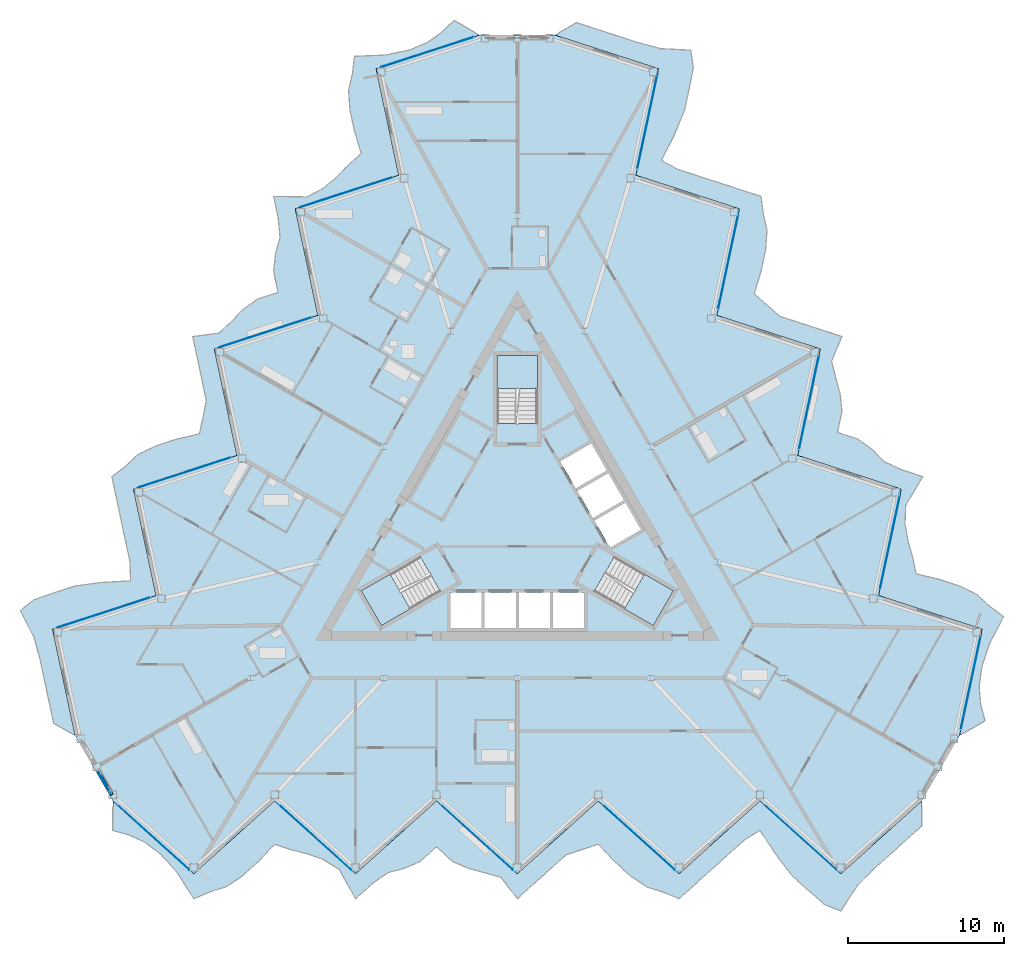
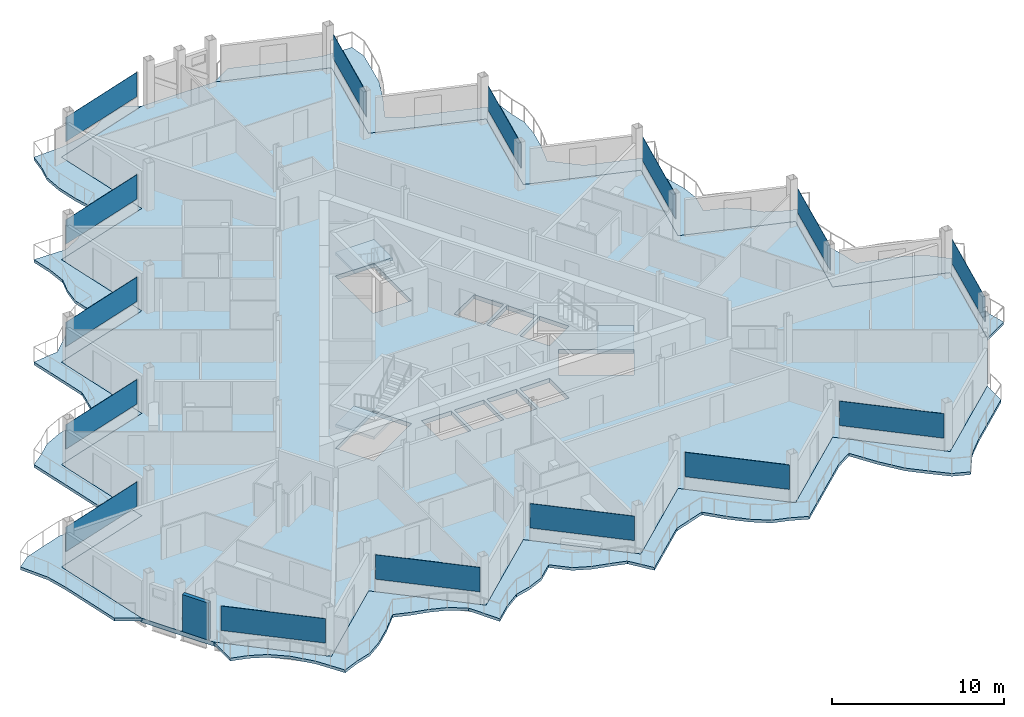
# One storey, part 11 of 26: 15 plates, 7 slabs, 1 wall, 18 elements without a shape of their own.
"""IFC4 building model written with IfcOpenShell, lengths in metres."""

from ifc_helpers import new_model, si_unit, direction, frame, frame_2d, origin, origin_2d, place, context, subcontext, project, spatial, polyline, rectangle, outline, extrude, material, layer, layer_set, type_object, element, aggregate, save


model = new_model("IFC4")

# Units and contexts
model_context = context("Model", 3, precision=1e-05, world=origin(), true_north=direction((0.0, 1.0)))
body_context = subcontext(model_context, "Body", "Model", "MODEL_VIEW")
ifc_project = project(units=[si_unit("LENGTHUNIT", "METRE"), si_unit("AREAUNIT", "SQUARE_METRE"), si_unit("VOLUMEUNIT", "CUBIC_METRE"), si_unit("PLANEANGLEUNIT", "RADIAN"), si_unit("MASSUNIT", "GRAM", prefix="KILO")], contexts=[model_context])

# Site, building, storey
site_placement = place(None, origin())
site = spatial("IfcSite", under=ifc_project, at=site_placement, CompositionType="ELEMENT")
building_placement = place(site_placement, origin())
building = spatial("IfcBuilding", under=site, at=building_placement, Name="Cormorant Prow Tower", CompositionType="ELEMENT")
storey_placement = place(building_placement, frame((0.0, 0.0, 388.199951171875)))
storey = spatial("IfcBuildingStorey", under=building, at=storey_placement, Name="L88", CompositionType="ELEMENT", Elevation=388.199951171875)

# Slabs
ifc_material_1 = material(Name="Concrete C40/50", Category="concrete")
ifc_layer_1 = layer(ifc_material_1, 0.199951171875)
ifc_layer_set_1 = layer_set([ifc_layer_1], Name="Concrete C40/50")
slab_type_1 = type_object("IfcSlabType", Name="Balcony slab 200", PredefinedType="FLOOR", material=ifc_layer_set_1)
slab_1_placement = place(storey_placement, frame((0.0, 0.0, -0.199951171875)))
element("IfcSlab", 1, at=slab_1_placement, inside=storey, type_object=slab_type_1, Name="Balcony slab S L88", PredefinedType="FLOOR", context=body_context, shape_type="SweptSolid", body=[
    extrude(outline(polyline([(-26.0, -17.8095703125), (-26.0, -19.709716796875), (-24.9599609375, -19.9931640625), (-23.919921875, -20.468994140625), (-22.8798828125, -21.272705078125), (-21.840087890625, -22.443359375), (-20.800048828125, -24.091796875), (-19.760009765625, -23.6494140625), (-18.719970703125, -23.329345703125), (-17.679931640625, -22.632568359375), (-16.639892578125, -21.696044921875), (-15.60009765625, -20.595458984375), (-14.56005859375, -20.940673828125), (-13.52001953125, -21.19921875), (-12.47998046875, -21.570556640625), (-11.43994140625, -22.221435546875), (-10.39990234375, -24.091796875), (-9.360107421875, -23.1552734375), (-8.320068359375, -22.416259765625), (-7.280029296875, -22.145751953125), (-6.239990234375, -21.696044921875), (-5.199951171875, -20.759765625), (-4.159912109375, -21.696044921875), (-3.1201171875, -22.1552734375), (-2.080078125, -22.427001953125), (-1.0400390625, -22.725830078125), (0.0, -24.091796875), (1.0400390625, -23.1552734375), (2.080078125, -22.218994140625), (3.1201171875, -21.282470703125), (4.159912109375, -20.930419921875), (5.199951171875, -20.587890625), (6.239990234375, -21.696044921875), (7.280029296875, -22.632568359375), (8.320068359375, -23.33740234375), (9.360107421875, -23.659912109375), (10.39990234375, -24.091796875), (11.43994140625, -23.1552734375), (12.47998046875, -22.218994140625), (13.52001953125, -21.282470703125), (14.56005859375, -20.34619140625), (15.60009765625, -19.698974609375), (16.639892578125, -21.289794921875), (17.679931640625, -22.632568359375), (18.719970703125, -23.56884765625), (19.760009765625, -24.473388671875), (20.800048828125, -24.881103515625), (21.840087890625, -23.27197265625), (22.8798828125, -22.218994140625), (23.919921875, -21.282470703125), (24.9599609375, -20.34619140625), (26.0, -19.40966796875), (26.0, -17.8095703125), (24.9599609375, -18.74609375), (23.919921875, -19.6826171875), (22.8798828125, -20.618896484375), (21.840087890625, -21.555419921875), (20.800048828125, -22.49169921875), (19.760009765625, -21.555419921875), (18.719970703125, -20.618896484375), (17.679931640625, -19.6826171875), (16.639892578125, -18.74609375), (15.60009765625, -17.8095703125), (14.56005859375, -18.74609375), (13.52001953125, -19.6826171875), (12.47998046875, -20.618896484375), (11.43994140625, -21.555419921875), (10.39990234375, -22.49169921875), (9.360107421875, -21.555419921875), (8.320068359375, -20.618896484375), (7.280029296875, -19.6826171875), (6.239990234375, -18.74609375), (5.199951171875, -17.8095703125), (4.159912109375, -18.74609375), (3.1201171875, -19.6826171875), (2.080078125, -20.618896484375), (1.0400390625, -21.555419921875), (0.0, -22.49169921875), (-1.0400390625, -21.555419921875), (-2.080078125, -20.618896484375), (-3.1201171875, -19.6826171875), (-4.159912109375, -18.74609375), (-5.199951171875, -17.8095703125), (-6.239990234375, -18.74609375), (-7.280029296875, -19.6826171875), (-8.320068359375, -20.618896484375), (-9.360107421875, -21.555419921875), (-10.39990234375, -22.49169921875), (-11.43994140625, -21.555419921875), (-12.47998046875, -20.618896484375), (-13.52001953125, -19.6826171875), (-14.56005859375, -18.74609375), (-15.60009765625, -17.8095703125), (-16.639892578125, -18.74609375), (-17.679931640625, -19.6826171875), (-18.719970703125, -20.618896484375), (-19.760009765625, -21.555419921875), (-20.800048828125, -22.49169921875), (-21.840087890625, -21.555419921875), (-22.8798828125, -20.618896484375), (-23.919921875, -19.6826171875), (-24.9599609375, -18.74609375), (-26.0, -17.8095703125)])), origin(), (0.0, 0.0, 1.0), 0.199951171875),
])
slab_2_placement = place(storey_placement, frame((0.0, 0.0, -0.199951171875)))
element("IfcSlab", 2, at=slab_2_placement, inside=storey, type_object=slab_type_1, Name="Balcony slab ENE L88", PredefinedType="FLOOR", context=body_context, shape_type="SweptSolid", body=[
    extrude(outline(polyline([(28.423583984375, -13.61181640625), (30.069091796875, -12.661865234375), (29.794677734375, -11.619384765625), (29.686767578125, -10.48095703125), (29.86279296875, -9.17822265625), (30.356689453125, -7.6923828125), (31.26416015625, -5.967529296875), (30.36083984375, -5.2880859375), (29.563720703125, -4.54736328125), (28.4404296875, -3.9951171875), (27.109375, -3.562744140625), (25.63623046875, -3.21240234375), (25.415283203125, -2.138916015625), (25.119140625, -1.109130859375), (24.920654296875, -0.022705078125), (24.964111328125, 1.203369140625), (26.06396484375, 3.039306640625), (24.733154296875, 3.4716796875), (23.572998046875, 4.0029296875), (22.81884765625, 4.768310546875), (21.909423828125, 5.444091796875), (20.578369140625, 5.87646484375), (20.869384765625, 7.245361328125), (20.7470703125, 8.37548828125), (20.46240234375, 9.412109375), (20.201171875, 10.462158203125), (20.864013671875, 12.0458984375), (19.533203125, 12.478271484375), (18.2021484375, 12.910888671875), (16.87109375, 13.34326171875), (16.046142578125, 14.06787109375), (15.229736328125, 14.79736328125), (15.66943359375, 16.251953125), (15.960205078125, 17.620849609375), (16.05078125, 18.8740234375), (15.81005859375, 19.935791015625), (15.6640625, 21.052490234375), (14.3330078125, 21.485107421875), (13.002197265625, 21.91748046875), (11.671142578125, 22.349853515625), (10.34033203125, 22.782470703125), (9.259765625, 23.359619140625), (10.11767578125, 25.0556640625), (10.76025390625, 26.627685546875), (11.05126953125, 27.996337890625), (11.314697265625, 29.349365234375), (11.147705078125, 30.453857421875), (9.234130859375, 30.550048828125), (7.80224609375, 30.924072265625), (6.47119140625, 31.356689453125), (5.14013671875, 31.7890625), (3.809326171875, 32.221435546875), (2.423583984375, 31.42138671875), (3.754638671875, 30.989013671875), (5.08544921875, 30.556640625), (6.41650390625, 30.1240234375), (7.74755859375, 29.691650390625), (9.078369140625, 29.25927734375), (8.787353515625, 27.890380859375), (8.49658203125, 26.521484375), (8.20556640625, 25.152587890625), (7.91455078125, 23.78369140625), (7.62353515625, 22.414794921875), (8.95458984375, 21.982421875), (10.28564453125, 21.5498046875), (11.616455078125, 21.117431640625), (12.947509765625, 20.68505859375), (14.2783203125, 20.25244140625), (13.987548828125, 18.8837890625), (13.696533203125, 17.514892578125), (13.405517578125, 16.14599609375), (13.114501953125, 14.777099609375), (12.82373046875, 13.408203125), (14.154541015625, 12.9755859375), (15.485595703125, 12.543212890625), (16.81640625, 12.11083984375), (18.1474609375, 11.67822265625), (19.478515625, 11.245849609375), (19.1875, 9.876953125), (18.896484375, 8.508056640625), (18.60546875, 7.13916015625), (18.314697265625, 5.770263671875), (18.023681640625, 4.401611328125), (19.3544921875, 3.968994140625), (20.685546875, 3.53662109375), (22.0166015625, 3.104248046875), (23.347412109375, 2.671630859375), (24.678466796875, 2.2392578125), (24.387451171875, 0.870361328125), (24.096435546875, -0.49853515625), (23.8056640625, -1.867431640625), (23.5146484375, -3.236328125), (23.2236328125, -4.605224609375), (24.5546875, -5.03759765625), (25.885498046875, -5.469970703125), (27.216552734375, -5.902587890625), (28.54736328125, -6.3349609375), (29.87841796875, -6.767333984375), (29.58740234375, -8.13623046875), (29.29638671875, -9.505126953125), (29.005615234375, -10.8740234375), (28.714599609375, -12.242919921875), (28.423583984375, -13.61181640625)])), origin(), (0.0, 0.0, 1.0), 0.199951171875),
])
slab_3_placement = place(storey_placement, frame((0.0, 0.0, -0.199951171875)))
element("IfcSlab", 3, at=slab_3_placement, inside=storey, type_object=slab_type_1, Name="Balcony slab WNW L88", PredefinedType="FLOOR", context=body_context, shape_type="SweptSolid", body=[
    extrude(outline(polyline([(-2.423583984375, 31.42138671875), (-4.069091796875, 32.37158203125), (-4.834716796875, 31.612548828125), (-5.7666015625, 30.94970703125), (-6.982666015625, 30.450927734375), (-8.5166015625, 30.1357421875), (-10.464111328125, 30.059326171875), (-10.600830078125, 28.937255859375), (-10.84375, 27.876708984375), (-10.76025390625, 26.627685546875), (-10.46923828125, 25.2587890625), (-10.0361328125, 23.8076171875), (-10.855224609375, 23.07958984375), (-11.59912109375, 22.308349609375), (-12.440673828125, 21.59326171875), (-13.524169921875, 21.01806640625), (-15.6640625, 21.052490234375), (-15.373046875, 19.68359375), (-15.253173828125, 18.41357421875), (-15.538818359375, 17.37744140625), (-15.66943359375, 16.251953125), (-15.37841796875, 14.883056640625), (-16.70947265625, 14.45068359375), (-17.626953125, 13.779541015625), (-18.38232421875, 13.014892578125), (-19.1611328125, 12.263671875), (-20.864013671875, 12.0458984375), (-20.572998046875, 10.677001953125), (-20.2822265625, 9.30810546875), (-19.9912109375, 7.939208984375), (-20.206298828125, 6.862548828125), (-20.4296875, 5.79052734375), (-21.909423828125, 5.444091796875), (-23.240234375, 5.011474609375), (-24.370849609375, 4.46337890625), (-25.169921875, 3.723876953125), (-26.06396484375, 3.039306640625), (-25.773193359375, 1.67041015625), (-25.482177734375, 0.301513671875), (-25.191162109375, -1.0673828125), (-24.900146484375, -2.436279296875), (-24.85986328125, -3.660400390625), (-26.757568359375, -3.765625), (-28.4404296875, -3.9951171875), (-29.771240234375, -4.427490234375), (-31.07470703125, -4.8759765625), (-31.94775390625, -5.57275390625), (-31.073974609375, -7.278076171875), (-30.68212890625, -8.705322265625), (-30.39111328125, -10.073974609375), (-30.100341796875, -11.44287109375), (-29.809326171875, -12.811767578125), (-28.423583984375, -13.61181640625), (-28.714599609375, -12.242919921875), (-29.005615234375, -10.8740234375), (-29.29638671875, -9.505126953125), (-29.58740234375, -8.13623046875), (-29.87841796875, -6.767333984375), (-28.54736328125, -6.3349609375), (-27.216552734375, -5.902587890625), (-25.885498046875, -5.469970703125), (-24.5546875, -5.03759765625), (-23.2236328125, -4.605224609375), (-23.5146484375, -3.236328125), (-23.8056640625, -1.867431640625), (-24.096435546875, -0.49853515625), (-24.387451171875, 0.870361328125), (-24.678466796875, 2.2392578125), (-23.347412109375, 2.671630859375), (-22.0166015625, 3.104248046875), (-20.685546875, 3.53662109375), (-19.3544921875, 3.968994140625), (-18.023681640625, 4.401611328125), (-18.314697265625, 5.770263671875), (-18.60546875, 7.13916015625), (-18.896484375, 8.508056640625), (-19.1875, 9.876953125), (-19.478515625, 11.245849609375), (-18.1474609375, 11.67822265625), (-16.81640625, 12.11083984375), (-15.485595703125, 12.543212890625), (-14.154541015625, 12.9755859375), (-12.82373046875, 13.408203125), (-13.114501953125, 14.777099609375), (-13.405517578125, 16.14599609375), (-13.696533203125, 17.514892578125), (-13.987548828125, 18.8837890625), (-14.2783203125, 20.25244140625), (-12.947509765625, 20.68505859375), (-11.616455078125, 21.117431640625), (-10.28564453125, 21.5498046875), (-8.95458984375, 21.982421875), (-7.62353515625, 22.414794921875), (-7.91455078125, 23.78369140625), (-8.20556640625, 25.152587890625), (-8.49658203125, 26.521484375), (-8.787353515625, 27.890380859375), (-9.078369140625, 29.25927734375), (-7.74755859375, 29.691650390625), (-6.41650390625, 30.1240234375), (-5.08544921875, 30.556640625), (-3.754638671875, 30.989013671875), (-2.423583984375, 31.42138671875)])), origin(), (0.0, 0.0, 1.0), 0.199951171875),
])
ifc_material_2 = material(Name="Concrete C40/50", Category="concrete")
ifc_layer_2 = layer(ifc_material_2, 0.300048828125)
ifc_layer_set_2 = layer_set([ifc_layer_2], Name="Concrete C40/50")
slab_type_2 = type_object("IfcSlabType", Name="Post-tensioned flat slab 300", PredefinedType="FLOOR", material=ifc_layer_set_2)
slab_4_placement = place(storey_placement, frame((0.0, 0.0, -0.300048828125)))
element("IfcSlab", 4, at=slab_4_placement, inside=storey, type_object=slab_type_2, Name="Floor slab L88", PredefinedType="FLOOR", context=body_context, shape_type="SweptSolid", body=[
    extrude(outline(polyline([(-7.62353515625, 22.414794921875), (-14.2783203125, 20.25244140625), (-12.82373046875, 13.408203125), (-19.478515625, 11.245849609375), (-18.023681640625, 4.401611328125), (-24.678466796875, 2.2392578125), (-23.2236328125, -4.605224609375), (-29.87841796875, -6.767333984375), (-28.423583984375, -13.61181640625), (-27.2119140625, -15.710693359375), (-26.0, -17.8095703125), (-20.800048828125, -22.49169921875), (-15.60009765625, -17.8095703125), (-10.39990234375, -22.49169921875), (-5.199951171875, -17.8095703125), (0.0, -22.49169921875), (5.199951171875, -17.8095703125), (10.39990234375, -22.49169921875), (15.60009765625, -17.8095703125), (20.800048828125, -22.49169921875), (26.0, -17.8095703125), (27.2119140625, -15.710693359375), (28.423583984375, -13.61181640625), (29.87841796875, -6.767333984375), (23.2236328125, -4.605224609375), (24.678466796875, 2.2392578125), (18.023681640625, 4.401611328125), (19.478515625, 11.245849609375), (12.82373046875, 13.408203125), (14.2783203125, 20.25244140625), (7.62353515625, 22.414794921875), (9.078369140625, 29.25927734375), (2.423583984375, 31.42138671875), (0.0, 31.42138671875), (-2.423583984375, 31.42138671875), (-9.078369140625, 29.25927734375), (-7.62353515625, 22.414794921875)]), holes=[polyline([(-4.300048828125, -4.39990234375), (-2.300048828125, -4.39990234375), (-2.300048828125, -6.699951171875), (-4.300048828125, -6.699951171875), (-4.300048828125, -4.39990234375)]), polyline([(-0.10009765625, -4.39990234375), (-0.10009765625, -6.699951171875), (-2.10009765625, -6.699951171875), (-2.10009765625, -4.39990234375), (-0.10009765625, -4.39990234375)]), polyline([(2.10009765625, -6.699951171875), (0.10009765625, -6.699951171875), (0.10009765625, -4.39990234375), (2.10009765625, -4.39990234375), (2.10009765625, -6.699951171875)]), polyline([(2.300048828125, -6.699951171875), (2.300048828125, -4.39990234375), (4.300048828125, -4.39990234375), (4.300048828125, -6.699951171875), (2.300048828125, -6.699951171875)]), polyline([(5.96044921875, -1.52392578125), (4.96044921875, 0.2080078125), (6.952392578125, 1.358154296875), (7.952392578125, -0.373779296875), (5.96044921875, -1.52392578125)]), polyline([(3.860595703125, 2.11328125), (5.852294921875, 3.263427734375), (6.852294921875, 1.53125), (4.860595703125, 0.38134765625), (3.860595703125, 2.11328125)]), polyline([(4.75244140625, 5.168701171875), (5.75244140625, 3.4365234375), (3.760498046875, 2.28662109375), (2.760498046875, 4.018798828125), (4.75244140625, 5.168701171875)]), polyline([(-4.947509765625, -4.3505859375), (-8.738037109375, -6.5390625), (-10.031982421875, -4.2978515625), (-6.241455078125, -2.109375), (-4.947509765625, -4.3505859375)]), polyline([(10.031982421875, -4.2978515625), (8.738037109375, -6.5390625), (4.947509765625, -4.3505859375), (6.241455078125, -2.109375), (10.031982421875, -4.2978515625)]), polyline([(1.2939453125, 10.8369140625), (1.2939453125, 6.459716796875), (-1.2939453125, 6.459716796875), (-1.2939453125, 10.8369140625), (1.2939453125, 10.8369140625)])]), origin(), (0.0, 0.0, 1.0), 0.300048828125),
])

# Curtain wall, plate
ifc_material_3 = material(Name="Aluminium 6063-T6", Category="aluminium")
ifc_layer_3 = layer(ifc_material_3, 0.159912109375)
ifc_layer_set_3 = layer_set([ifc_layer_3], Name="Aluminium 6063-T6")
curtain_wall_type = type_object("IfcCurtainWallType", Name="Residential unitised curtain wall 160", PredefinedType="NOTDEFINED", material=ifc_layer_set_3)
curtain_wall_1_placement = place(storey_placement, origin())
curtain_wall_1 = element("IfcCurtainWall", 5, at=curtain_wall_1_placement, inside=storey, type_object=curtain_wall_type, Name="Residential curtain wall S00", PredefinedType="NOTDEFINED")
ifc_material_4 = material(Name="Clear glass", Category="glass")
ifc_layer_4 = layer(ifc_material_4, 0.02392578125)
ifc_layer_set_4 = layer_set([ifc_layer_4], Name="Clear glass")
plate_type = type_object("IfcPlateType", Name="Residential glass panel 24", PredefinedType="CURTAIN_PANEL", material=ifc_layer_set_4)
plate_1_placement = place(storey_placement, frame((-23.38134765625, -20.16748046875, 0.900146484375), z_axis=(0.0, 0.0, 1.0), x_axis=(0.743144827638, -0.669130603959, 0.0)))
plate_1 = element("IfcPlate", 6, at=plate_1_placement, type_object=plate_type, Name="Residential glass panel S00", PredefinedType="CURTAIN_PANEL", context=body_context, shape_type="SweptSolid", body=[
    extrude(rectangle(XDim=6.21533203125, YDim=0.02392578125, at=origin_2d()), origin(), (0.0, 0.0, 1.0), 1.73388671875),
])
aggregate(curtain_wall_1, [plate_1])

curtain_wall_2_placement = place(storey_placement, origin())
curtain_wall_2 = element("IfcCurtainWall", 7, at=curtain_wall_2_placement, inside=storey, type_object=curtain_wall_type, Name="Residential curtain wall S02", PredefinedType="NOTDEFINED")
plate_2_placement = place(storey_placement, frame((-12.9814453125, -20.16748046875, 0.900146484375), z_axis=(0.0, 0.0, 1.0), x_axis=(0.743144827638, -0.669130603959, 0.0)))
plate_2 = element("IfcPlate", 8, at=plate_2_placement, type_object=plate_type, Name="Residential glass panel S02", PredefinedType="CURTAIN_PANEL", context=body_context, shape_type="SweptSolid", body=[
    extrude(rectangle(XDim=6.21533203125, YDim=0.02392578125, at=origin_2d()), origin(), (0.0, 0.0, 1.0), 1.73388671875),
])
aggregate(curtain_wall_2, [plate_2])

curtain_wall_3_placement = place(storey_placement, origin())
curtain_wall_3 = element("IfcCurtainWall", 9, at=curtain_wall_3_placement, inside=storey, type_object=curtain_wall_type, Name="Residential curtain wall S04", PredefinedType="NOTDEFINED")
plate_3_placement = place(storey_placement, frame((-2.58154296875, -20.16748046875, 0.900146484375), z_axis=(0.0, 0.0, 1.0), x_axis=(0.743144827638, -0.669130603959, 0.0)))
plate_3 = element("IfcPlate", 10, at=plate_3_placement, type_object=plate_type, Name="Residential glass panel S04", PredefinedType="CURTAIN_PANEL", context=body_context, shape_type="SweptSolid", body=[
    extrude(rectangle(XDim=6.21533203125, YDim=0.02392578125, at=origin_2d()), origin(), (0.0, 0.0, 1.0), 1.73388671875),
])
aggregate(curtain_wall_3, [plate_3])

curtain_wall_4_placement = place(storey_placement, origin())
curtain_wall_4 = element("IfcCurtainWall", 11, at=curtain_wall_4_placement, inside=storey, type_object=curtain_wall_type, Name="Residential curtain wall S06", PredefinedType="NOTDEFINED")
plate_4_placement = place(storey_placement, frame((7.818603515625, -20.16748046875, 0.900146484375), z_axis=(0.0, 0.0, 1.0), x_axis=(0.743144827638, -0.669130603959, 0.0)))
plate_4 = element("IfcPlate", 12, at=plate_4_placement, type_object=plate_type, Name="Residential glass panel S06", PredefinedType="CURTAIN_PANEL", context=body_context, shape_type="SweptSolid", body=[
    extrude(rectangle(XDim=6.21533203125, YDim=0.02392578125, at=origin_2d()), origin(), (0.0, 0.0, 1.0), 1.73388671875),
])
aggregate(curtain_wall_4, [plate_4])

curtain_wall_5_placement = place(storey_placement, origin())
curtain_wall_5 = element("IfcCurtainWall", 13, at=curtain_wall_5_placement, inside=storey, type_object=curtain_wall_type, Name="Residential curtain wall S08", PredefinedType="NOTDEFINED")
plate_5_placement = place(storey_placement, frame((18.218505859375, -20.16748046875, 0.900146484375), z_axis=(0.0, 0.0, 1.0), x_axis=(0.743144827638, -0.669130603959, 0.0)))
plate_5 = element("IfcPlate", 14, at=plate_5_placement, type_object=plate_type, Name="Residential glass panel S08", PredefinedType="CURTAIN_PANEL", context=body_context, shape_type="SweptSolid", body=[
    extrude(rectangle(XDim=6.21533203125, YDim=0.02392578125, at=origin_2d()), origin(), (0.0, 0.0, 1.0), 1.73388671875),
])
aggregate(curtain_wall_5, [plate_5])

curtain_wall_6_placement = place(storey_placement, origin())
curtain_wall_6 = element("IfcCurtainWall", 15, at=curtain_wall_6_placement, inside=storey, type_object=curtain_wall_type, Name="Residential curtain wall ENE00", PredefinedType="NOTDEFINED")
plate_6_placement = place(storey_placement, frame((29.15625, -10.165283203125, 0.900146484375), z_axis=(0.0, 0.0, 1.0), x_axis=(0.207911620089, 0.978147615768, 0.0)))
plate_6 = element("IfcPlate", 16, at=plate_6_placement, type_object=plate_type, Name="Residential glass panel ENE00", PredefinedType="CURTAIN_PANEL", context=body_context, shape_type="SweptSolid", body=[
    extrude(rectangle(XDim=6.21533203125, YDim=0.02392578125, at=origin_2d()), origin(), (0.0, 0.0, 1.0), 1.73388671875),
])
aggregate(curtain_wall_6, [plate_6])

curtain_wall_7_placement = place(storey_placement, origin())
curtain_wall_7 = element("IfcCurtainWall", 17, at=curtain_wall_7_placement, inside=storey, type_object=curtain_wall_type, Name="Residential curtain wall ENE02", PredefinedType="NOTDEFINED")
plate_7_placement = place(storey_placement, frame((23.956298828125, -1.158447265625, 0.900146484375), z_axis=(0.0, 0.0, 1.0), x_axis=(0.207911756835, 0.978147586701, 0.0)))
plate_7 = element("IfcPlate", 18, at=plate_7_placement, type_object=plate_type, Name="Residential glass panel ENE02", PredefinedType="CURTAIN_PANEL", context=body_context, shape_type="SweptSolid", body=[
    extrude(rectangle(XDim=6.21533203125, YDim=0.02392578125, at=origin_2d()), origin(), (0.0, 0.0, 1.0), 1.73388671875),
])
aggregate(curtain_wall_7, [plate_7])

curtain_wall_8_placement = place(storey_placement, origin())
curtain_wall_8 = element("IfcCurtainWall", 19, at=curtain_wall_8_placement, inside=storey, type_object=curtain_wall_type, Name="Residential curtain wall ENE04", PredefinedType="NOTDEFINED")
plate_8_placement = place(storey_placement, frame((18.756103515625, 7.84814453125, 0.900146484375), z_axis=(0.0, 0.0, 1.0), x_axis=(0.207911756835, 0.978147586701, 0.0)))
plate_8 = element("IfcPlate", 20, at=plate_8_placement, type_object=plate_type, Name="Residential glass panel ENE04", PredefinedType="CURTAIN_PANEL", context=body_context, shape_type="SweptSolid", body=[
    extrude(rectangle(XDim=6.21533203125, YDim=0.02392578125, at=origin_2d()), origin(), (0.0, 0.0, 1.0), 1.73388671875),
])
aggregate(curtain_wall_8, [plate_8])

curtain_wall_9_placement = place(storey_placement, origin())
curtain_wall_9 = element("IfcCurtainWall", 21, at=curtain_wall_9_placement, inside=storey, type_object=curtain_wall_type, Name="Residential curtain wall ENE06", PredefinedType="NOTDEFINED")
plate_9_placement = place(storey_placement, frame((13.55615234375, 16.854736328125, 0.900146484375), z_axis=(0.0, 0.0, 1.0), x_axis=(0.207911756835, 0.978147586701, 0.0)))
plate_9 = element("IfcPlate", 22, at=plate_9_placement, type_object=plate_type, Name="Residential glass panel ENE06", PredefinedType="CURTAIN_PANEL", context=body_context, shape_type="SweptSolid", body=[
    extrude(rectangle(XDim=6.21533203125, YDim=0.02392578125, at=origin_2d()), origin(), (0.0, 0.0, 1.0), 1.73388671875),
])
aggregate(curtain_wall_9, [plate_9])

curtain_wall_10_placement = place(storey_placement, origin())
curtain_wall_10 = element("IfcCurtainWall", 23, at=curtain_wall_10_placement, inside=storey, type_object=curtain_wall_type, Name="Residential curtain wall ENE08", PredefinedType="NOTDEFINED")
plate_10_placement = place(storey_placement, frame((8.356201171875, 25.861572265625, 0.900146484375), z_axis=(0.0, 0.0, 1.0), x_axis=(0.207911785891, 0.978147580525, 0.0)))
plate_10 = element("IfcPlate", 24, at=plate_10_placement, type_object=plate_type, Name="Residential glass panel ENE08", PredefinedType="CURTAIN_PANEL", context=body_context, shape_type="SweptSolid", body=[
    extrude(rectangle(XDim=6.21533203125, YDim=0.02392578125, at=origin_2d()), origin(), (0.0, 0.0, 1.0), 1.73388671875),
])
aggregate(curtain_wall_10, [plate_10])

curtain_wall_11_placement = place(storey_placement, origin())
curtain_wall_11 = element("IfcCurtainWall", 25, at=curtain_wall_11_placement, inside=storey, type_object=curtain_wall_type, Name="Residential curtain wall WNW00", PredefinedType="NOTDEFINED")
plate_11_placement = place(storey_placement, frame((-5.77490234375, 30.33251953125, 0.900146484375), z_axis=(0.0, 0.0, 1.0), x_axis=(-0.951056506549, -0.309017024369, 0.0)))
plate_11 = element("IfcPlate", 26, at=plate_11_placement, type_object=plate_type, Name="Residential glass panel WNW00", PredefinedType="CURTAIN_PANEL", context=body_context, shape_type="SweptSolid", body=[
    extrude(rectangle(XDim=6.21533203125, YDim=0.02392578125, at=origin_2d()), origin(), (0.0, 0.0, 1.0), 1.73388671875),
])
aggregate(curtain_wall_11, [plate_11])

curtain_wall_12_placement = place(storey_placement, origin())
curtain_wall_12 = element("IfcCurtainWall", 27, at=curtain_wall_12_placement, inside=storey, type_object=curtain_wall_type, Name="Residential curtain wall WNW02", PredefinedType="NOTDEFINED")
plate_12_placement = place(storey_placement, frame((-10.974853515625, 21.325927734375, 0.900146484375), z_axis=(0.0, 0.0, 1.0), x_axis=(-0.951056506549, -0.309017024369, 0.0)))
plate_12 = element("IfcPlate", 28, at=plate_12_placement, type_object=plate_type, Name="Residential glass panel WNW02", PredefinedType="CURTAIN_PANEL", context=body_context, shape_type="SweptSolid", body=[
    extrude(rectangle(XDim=6.21533203125, YDim=0.02392578125, at=origin_2d()), origin(), (0.0, 0.0, 1.0), 1.73388671875),
])
aggregate(curtain_wall_12, [plate_12])

curtain_wall_13_placement = place(storey_placement, origin())
curtain_wall_13 = element("IfcCurtainWall", 29, at=curtain_wall_13_placement, inside=storey, type_object=curtain_wall_type, Name="Residential curtain wall WNW04", PredefinedType="NOTDEFINED")
plate_13_placement = place(storey_placement, frame((-16.1748046875, 12.3193359375, 0.900146484375), z_axis=(0.0, 0.0, 1.0), x_axis=(-0.951056548553, -0.309016895096, 0.0)))
plate_13 = element("IfcPlate", 30, at=plate_13_placement, type_object=plate_type, Name="Residential glass panel WNW04", PredefinedType="CURTAIN_PANEL", context=body_context, shape_type="SweptSolid", body=[
    extrude(rectangle(XDim=6.21533203125, YDim=0.02392578125, at=origin_2d()), origin(), (0.0, 0.0, 1.0), 1.73388671875),
])
aggregate(curtain_wall_13, [plate_13])

curtain_wall_14_placement = place(storey_placement, origin())
curtain_wall_14 = element("IfcCurtainWall", 31, at=curtain_wall_14_placement, inside=storey, type_object=curtain_wall_type, Name="Residential curtain wall WNW06", PredefinedType="NOTDEFINED")
plate_14_placement = place(storey_placement, frame((-21.374755859375, 3.312744140625, 0.900146484375), z_axis=(0.0, 0.0, 1.0), x_axis=(-0.951056506549, -0.309017024369, 0.0)))
plate_14 = element("IfcPlate", 32, at=plate_14_placement, type_object=plate_type, Name="Residential glass panel WNW06", PredefinedType="CURTAIN_PANEL", context=body_context, shape_type="SweptSolid", body=[
    extrude(rectangle(XDim=6.21533203125, YDim=0.02392578125, at=origin_2d()), origin(), (0.0, 0.0, 1.0), 1.73388671875),
])
aggregate(curtain_wall_14, [plate_14])

curtain_wall_15_placement = place(storey_placement, origin())
curtain_wall_15 = element("IfcCurtainWall", 33, at=curtain_wall_15_placement, inside=storey, type_object=curtain_wall_type, Name="Residential curtain wall WNW08", PredefinedType="NOTDEFINED")
plate_15_placement = place(storey_placement, frame((-26.57470703125, -5.694091796875, 0.900146484375), z_axis=(0.0, 0.0, 1.0), x_axis=(-0.951056548553, -0.309016895096, 0.0)))
plate_15 = element("IfcPlate", 34, at=plate_15_placement, type_object=plate_type, Name="Residential glass panel WNW08", PredefinedType="CURTAIN_PANEL", context=body_context, shape_type="SweptSolid", body=[
    extrude(rectangle(XDim=6.21533203125, YDim=0.02392578125, at=origin_2d()), origin(), (0.0, 0.0, 1.0), 1.73388671875),
])
aggregate(curtain_wall_15, [plate_15])

# Stair, slab
ifc_material_5 = material(Name="Exit stair 18 risers")
stair_type = type_object("IfcStairType", Name="Exit stair 18 risers", PredefinedType="HALF_TURN_STAIR", material=ifc_material_5)
stair_1_placement = place(storey_placement, origin())
stair_1 = element("IfcStair", 35, at=stair_1_placement, inside=storey, type_object=stair_type, Name="L88 Exit stair ST1", PredefinedType="HALF_TURN_STAIR")
ifc_material_6 = material(Name="Concrete 5000 psi", Category="concrete")
ifc_layer_5 = layer(ifc_material_6, 0.199951171875)
ifc_layer_set_5 = layer_set([ifc_layer_5], Name="Concrete 5000 psi")
slab_type_3 = type_object("IfcSlabType", Name="Stair landing 200", PredefinedType="LANDING", material=ifc_layer_set_5)
slab_5_placement = place(storey_placement, frame((0.0, 0.0, 1.5)))
slab_5 = element("IfcSlab", 36, at=slab_5_placement, type_object=slab_type_3, Name="ST1 landing 1", PredefinedType="LANDING", context=body_context, shape_type="SweptSolid", body=[
    extrude(outline(polyline([(-8.17431640625, -3.225341796875), (-10.031982421875, -4.2978515625), (-8.738037109375, -6.5390625), (-6.88037109375, -5.466552734375), (-8.17431640625, -3.225341796875)])), origin(), (0.0, 0.0, 1.0), 0.199951171875),
])
aggregate(stair_1, [slab_5])

stair_2_placement = place(storey_placement, origin())
stair_2 = element("IfcStair", 37, at=stair_2_placement, inside=storey, type_object=stair_type, Name="L88 Exit stair ST2", PredefinedType="HALF_TURN_STAIR")
slab_6_placement = place(storey_placement, frame((0.0, 0.0, 1.5)))
slab_6 = element("IfcSlab", 38, at=slab_6_placement, type_object=slab_type_3, Name="ST2 landing 1", PredefinedType="LANDING", context=body_context, shape_type="SweptSolid", body=[
    extrude(outline(polyline([(6.88037109375, -5.466552734375), (8.738037109375, -6.5390625), (10.031982421875, -4.2978515625), (8.17431640625, -3.225341796875), (6.88037109375, -5.466552734375)])), origin(), (0.0, 0.0, 1.0), 0.199951171875),
])
aggregate(stair_2, [slab_6])

stair_3_placement = place(storey_placement, origin())
stair_3 = element("IfcStair", 39, at=stair_3_placement, inside=storey, type_object=stair_type, Name="L88 Exit stair ST3", PredefinedType="HALF_TURN_STAIR")
slab_7_placement = place(storey_placement, frame((0.0, 0.0, 1.5)))
slab_7 = element("IfcSlab", 40, at=slab_7_placement, type_object=slab_type_3, Name="ST3 landing 1", PredefinedType="LANDING", context=body_context, shape_type="SweptSolid", body=[
    extrude(outline(polyline([(1.2939453125, 8.69189453125), (1.2939453125, 10.8369140625), (-1.2939453125, 10.8369140625), (-1.2939453125, 8.69189453125), (1.2939453125, 8.69189453125)])), origin(), (0.0, 0.0, 1.0), 0.199951171875),
])
aggregate(stair_3, [slab_7])

# Wall
ifc_material_7 = material(Name="Terracotta", Category="masonry")
ifc_layer_6 = layer(ifc_material_7, 0.25)
ifc_layer_set_6 = layer_set([ifc_layer_6], Name="Terracotta")
wall_type = type_object("IfcWallType", Name="Terracotta bay wall 250", PredefinedType="SOLIDWALL", material=ifc_layer_set_6)
wall_placement = place(storey_placement, frame((-26.95263671875, -15.90966796875, 0.0), z_axis=(0.0, 0.0, 1.0), x_axis=(0.500027377864, -0.86600959659, 0.0)))
element("IfcWall", 41, at=wall_placement, inside=storey, type_object=wall_type, Name="Terracotta bay wall WSW01", PredefinedType="SOLIDWALL", context=body_context, shape_type="SweptSolid", body=[
    extrude(rectangle(XDim=1.755859375, YDim=0.25, at=frame_2d((0.8779296875, 0.0))), origin(), (0.0, 0.0, 1.0), 2.634033203125),
])

save(model, "model.ifc")
